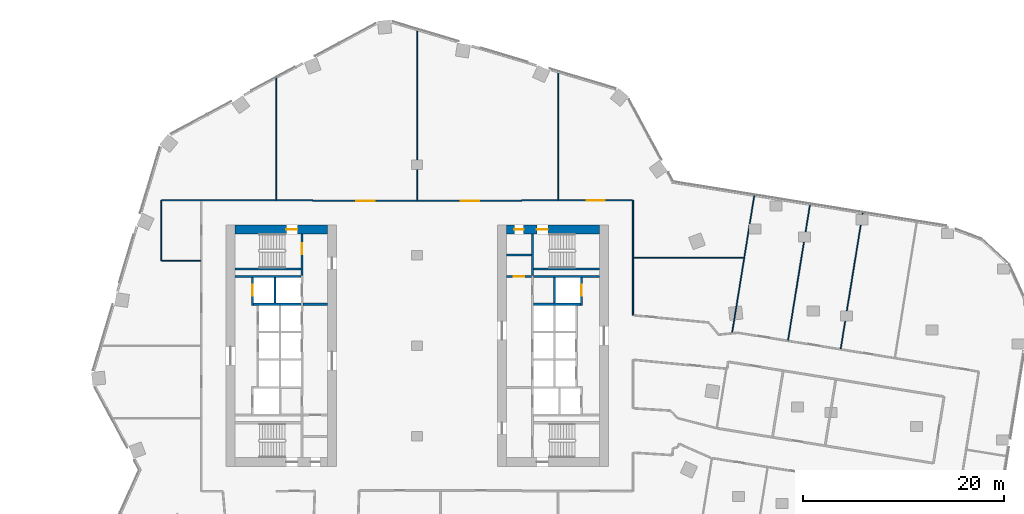
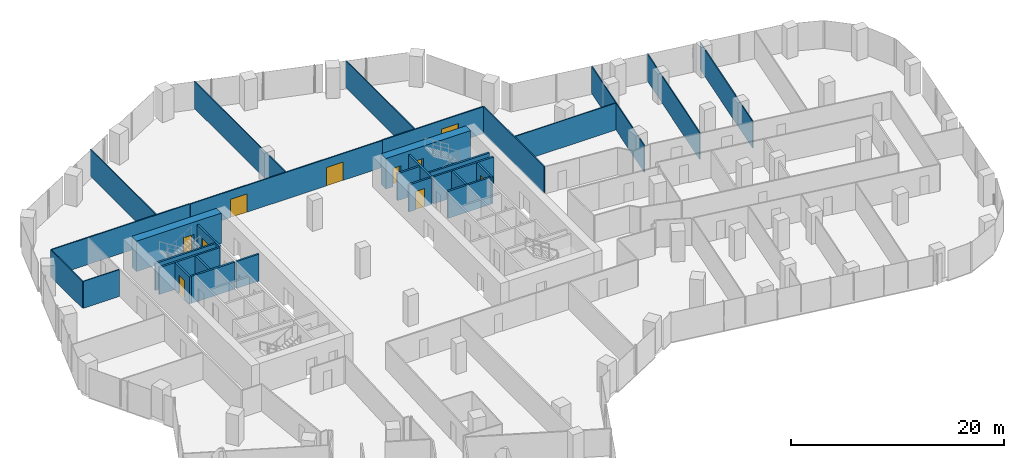
# One storey, part 29 of 34: 30 walls, 10 doors, 10 openings.
"""IFC4 building model written with IfcOpenShell, lengths in metres."""

from ifc_helpers import new_model, si_unit, direction, frame, frame_2d, origin, place, context, subcontext, project, spatial, rectangle, extrude, material, layer, layer_set, type_object, element, fill, save


model = new_model("IFC4")

# Units and contexts
model_context = context("Model", 3, precision=1e-05, world=origin(), true_north=direction((0.0, 1.0)))
body_context = subcontext(model_context, "Body", "Model", "MODEL_VIEW")
ifc_project = project(units=[si_unit("LENGTHUNIT", "METRE"), si_unit("AREAUNIT", "SQUARE_METRE"), si_unit("VOLUMEUNIT", "CUBIC_METRE"), si_unit("PLANEANGLEUNIT", "RADIAN"), si_unit("MASSUNIT", "GRAM", prefix="KILO")], contexts=[model_context])

# Site, building, storey
site_placement = place(None, origin())
site = spatial("IfcSite", under=ifc_project, at=site_placement, CompositionType="ELEMENT")
building_placement = place(site_placement, origin())
building = spatial("IfcBuilding", under=site, at=building_placement, Name="Orlundy Tower", CompositionType="ELEMENT")
storey_placement = place(building_placement, frame((0.0, 0.0, 127.199951171875)))
storey = spatial("IfcBuildingStorey", under=building, at=storey_placement, Name="L32", CompositionType="ELEMENT", Elevation=127.199951171875)

# Wall, opening, door
ifc_material_1 = material(Name="Concrete C80/95", Category="concrete")
ifc_layer_1 = layer(ifc_material_1, 0.89990234375)
ifc_layer_set_1 = layer_set([ifc_layer_1], Name="CORE WALL 900 C80/95")
wall_type_1 = type_object("IfcWallType", Name="CORE WALL 900 C80/95", PredefinedType="SHEAR", material=ifc_layer_set_1)
wall_1_placement = place(storey_placement, frame((-18.10009765625, 11.550048828125, 0.0), z_axis=(0.0, 0.0, 1.0), x_axis=(1.0, 0.0, 0.0)))
wall_1 = element("IfcWall", 1, at=wall_1_placement, inside=storey, type_object=wall_type_1, Name="Core wall W-N L32", PredefinedType="SHEAR", context=body_context, shape_type="SweptSolid", body=[
    extrude(rectangle(XDim=9.2001953125, YDim=0.89990234375, at=frame_2d((4.60009765625, 0.0))), origin(), (0.0, 0.0, 1.0), 3.5),
])
opening_1_placement = place(wall_1_placement, frame((5.10009765625, 0.0, 0.0)))
opening_1 = element("IfcOpeningElement", 2, at=opening_1_placement, cuts=wall_1, Name="Opening 25012", PredefinedType="OPENING", context=body_context, shape_type="SweptSolid", body=[
    extrude(rectangle(XDim=1.10009765625, YDim=2.10009765625, at=frame_2d((0.550048828125, 1.050048828125))), frame((0.0, 0.4599609375, 0.0), z_axis=(0.0, -1.0, 0.0), x_axis=(1.0, 0.0, 0.0)), (0.0, 0.0, 1.0), 0.919921875),
])
ifc_material_2 = material(Name="Steel door set", Category="steel")
door_type_1 = type_object("IfcDoorType", Name="Stair Door 1100x2100", OperationType="SINGLE_SWING_LEFT", PredefinedType="DOOR", material=ifc_material_2)
door_1_placement = place(opening_1_placement, origin())
door_1 = element("IfcDoor", 3, at=door_1_placement, inside=storey, type_object=door_type_1, Name="Stair door 25012", OperationType="SINGLE_SWING_RIGHT", OverallHeight=2.10009765625, OverallWidth=1.10009765625, PredefinedType="DOOR", context=body_context, shape_type="SweptSolid", body=[
    extrude(rectangle(XDim=1.10009765625, YDim=2.10009765625, at=frame_2d((0.550048828125, 1.050048828125))), frame((0.0, 0.02490234375, 0.0), z_axis=(0.0, -1.0, 0.0), x_axis=(1.0, 0.0, 0.0)), (0.0, 0.0, 1.0), 0.050048828125),
])
fill(opening_1, door_1)

# Wall, openings, doors
wall_2_placement = place(storey_placement, frame((8.89990234375, 11.550048828125, 0.0), z_axis=(0.0, 0.0, 1.0), x_axis=(1.0, 0.0, 0.0)))
wall_2 = element("IfcWall", 4, at=wall_2_placement, inside=storey, type_object=wall_type_1, Name="Core wall E-N L32", PredefinedType="SHEAR", context=body_context, shape_type="SweptSolid", body=[
    extrude(rectangle(XDim=9.2001953125, YDim=0.89990234375, at=frame_2d((4.60009765625, 0.0))), origin(), (0.0, 0.0, 1.0), 3.5),
])
opening_2_placement = place(wall_2_placement, frame((3.0, 0.0, 0.0)))
opening_2 = element("IfcOpeningElement", 5, at=opening_2_placement, cuts=wall_2, Name="Opening 25062", PredefinedType="OPENING", context=body_context, shape_type="SweptSolid", body=[
    extrude(rectangle(XDim=1.10009765625, YDim=2.10009765625, at=frame_2d((0.550048828125, 1.050048828125))), frame((0.0, 0.4599609375, 0.0), z_axis=(0.0, -1.0, 0.0), x_axis=(1.0, 0.0, 0.0)), (0.0, 0.0, 1.0), 0.919921875),
])
opening_3_placement = place(wall_2_placement, frame((0.77001953125, 0.0, 0.0)))
opening_3 = element("IfcOpeningElement", 6, at=opening_3_placement, cuts=wall_2, Name="Opening 25064", PredefinedType="OPENING", context=body_context, shape_type="SweptSolid", body=[
    extrude(rectangle(XDim=0.89990234375, YDim=2.10009765625, at=frame_2d((0.449951171875, 1.050048828125))), frame((0.0, 0.4599609375, 0.0), z_axis=(0.0, -1.0, 0.0), x_axis=(1.0, 0.0, 0.0)), (0.0, 0.0, 1.0), 0.919921875),
])
ifc_material_3 = material(Name="Timber door set", Category="wood")
door_type_2 = type_object("IfcDoorType", Name="Room Door 900x2100", OperationType="SINGLE_SWING_LEFT", PredefinedType="DOOR", material=ifc_material_3)
door_2_placement = place(opening_3_placement, origin())
door_2 = element("IfcDoor", 7, at=door_2_placement, inside=storey, type_object=door_type_2, Name="Store door 25064", OperationType="SINGLE_SWING_LEFT", OverallHeight=2.10009765625, OverallWidth=0.89990234375, PredefinedType="DOOR", context=body_context, shape_type="SweptSolid", body=[
    extrude(rectangle(XDim=0.89990234375, YDim=2.10009765625, at=frame_2d((0.449951171875, 1.050048828125))), frame((0.0, 0.02490234375, 0.0), z_axis=(0.0, -1.0, 0.0), x_axis=(1.0, 0.0, 0.0)), (0.0, 0.0, 1.0), 0.050048828125),
])
fill(opening_3, door_2)
door_3_placement = place(opening_2_placement, origin())
door_3 = element("IfcDoor", 8, at=door_3_placement, inside=storey, type_object=door_type_1, Name="Stair door 25062", OperationType="SINGLE_SWING_LEFT", OverallHeight=2.10009765625, OverallWidth=1.10009765625, PredefinedType="DOOR", context=body_context, shape_type="SweptSolid", body=[
    extrude(rectangle(XDim=1.10009765625, YDim=2.10009765625, at=frame_2d((0.550048828125, 1.050048828125))), frame((0.0, 0.02490234375, 0.0), z_axis=(0.0, -1.0, 0.0), x_axis=(1.0, 0.0, 0.0)), (0.0, 0.0, 1.0), 0.050048828125),
])
fill(opening_2, door_3)

# Walls
ifc_material_4 = material(Name="Gypsum board partition")
ifc_layer_2 = layer(ifc_material_4, 0.10009765625)
ifc_layer_set_2 = layer_set([ifc_layer_2], Name="Floor partition 100")
wall_type_2 = type_object("IfcWallType", Name="Floor partition 100", PredefinedType="PARTITIONING", material=ifc_layer_set_2)
wall_3_placement = place(storey_placement, frame((-25.39794921875, 8.448974609375, 0.0), z_axis=(0.0, 0.0, 1.0), x_axis=(1.0, 0.0, 0.0)))
element("IfcWall", 9, at=wall_3_placement, inside=storey, type_object=wall_type_2, Name="wall-int-L32-040", PredefinedType="PARTITIONING", context=body_context, shape_type="SweptSolid", body=[
    extrude(rectangle(XDim=3.885986328125, YDim=0.10009765625, at=frame_2d((1.94287109375, 0.0))), origin(), (0.0, 0.0, 1.0), 3.080078125),
])
wall_4_placement = place(storey_placement, frame((21.511962890625, 8.739990234375, 0.0), z_axis=(0.0, 0.0, 1.0), x_axis=(1.0, 0.0, 0.0)))
element("IfcWall", 10, at=wall_4_placement, inside=storey, type_object=wall_type_2, Name="wall-int-L32-041", PredefinedType="PARTITIONING", context=body_context, shape_type="SweptSolid", body=[
    extrude(rectangle(XDim=10.93896484375, YDim=0.10009765625, at=frame_2d((5.469482421875, 0.0))), origin(), (0.0, 0.0, 1.0), 3.080078125),
])
for number, where, z_axis, x_axis, name in (
    (11, (42.090087890625, -0.294921875, 0.0), (0.0, 0.0, 1.0), (0.159357818258, 0.987220890055, 0.0), "wall-int-L32-062"),
    (12, (36.85791015625, 0.549072265625, 0.0), (0.0, 0.0, 1.0), (0.159375015721, 0.987218113876, 0.0), "wall-int-L32-065"),
):
    element("IfcWall", number, at=place(storey_placement, frame(where, z_axis=z_axis, x_axis=x_axis)), inside=storey, type_object=wall_type_2, Name=name, PredefinedType="PARTITIONING", context=body_context, shape_type="SweptSolid", body=[
        extrude(rectangle(XDim=13.835693359375, YDim=0.10009765625, at=frame_2d((6.91796875, 0.0))), origin(), (0.0, 0.0, 1.0), 3.080078125),
    ])
wall_5_placement = place(storey_placement, frame((31.302001953125, 1.31396484375, 0.0), z_axis=(0.0, 0.0, 1.0), x_axis=(0.159328073175, 0.987225691065, 0.0)))
element("IfcWall", 13, at=wall_5_placement, inside=storey, type_object=wall_type_2, Name="wall-int-L32-068", PredefinedType="PARTITIONING", context=body_context, shape_type="SweptSolid", body=[
    extrude(rectangle(XDim=13.965576171875, YDim=0.10009765625, at=frame_2d((6.98291015625, 0.0))), origin(), (0.0, 0.0, 1.0), 3.080078125),
])
wall_6_placement = place(storey_placement, frame((14.0, 14.513916015625, 0.0), z_axis=(0.0, 0.0, 1.0), x_axis=(0.0, 1.0, 0.0)))
element("IfcWall", 14, at=wall_6_placement, inside=storey, type_object=wall_type_2, Name="wall-int-L32-081", PredefinedType="PARTITIONING", context=body_context, shape_type="SweptSolid", body=[
    extrude(rectangle(XDim=12.87109375, YDim=0.10009765625, at=frame_2d((6.435546875, 0.0))), origin(), (0.0, 0.0, 1.0), 3.080078125),
])
wall_7_placement = place(storey_placement, frame((0.0, 14.462890625, 0.0), z_axis=(0.0, 0.0, 1.0), x_axis=(0.0, 1.0, 0.0)))
element("IfcWall", 15, at=wall_7_placement, inside=storey, type_object=wall_type_2, Name="wall-int-L32-083", PredefinedType="PARTITIONING", context=body_context, shape_type="SweptSolid", body=[
    extrude(rectangle(XDim=17.114013671875, YDim=0.10009765625, at=frame_2d((8.55712890625, 0.0))), origin(), (0.0, 0.0, 1.0), 3.080078125),
])
wall_8_placement = place(storey_placement, frame((-14.0, 14.513916015625, 0.0), z_axis=(0.0, 0.0, 1.0), x_axis=(0.0, 1.0, 0.0)))
element("IfcWall", 16, at=wall_8_placement, inside=storey, type_object=wall_type_2, Name="wall-int-L32-084", PredefinedType="PARTITIONING", context=body_context, shape_type="SweptSolid", body=[
    extrude(rectangle(XDim=12.30419921875, YDim=0.10009765625, at=frame_2d((6.152099609375, 0.0))), origin(), (0.0, 0.0, 1.0), 3.080078125),
])
wall_9_placement = place(storey_placement, frame((-25.447998046875, 8.448974609375, 0.0), z_axis=(0.0, 0.0, 1.0), x_axis=(0.0, 1.0, 0.0)))
element("IfcWall", 17, at=wall_9_placement, inside=storey, type_object=wall_type_2, Name="wall-int-L32-086", PredefinedType="PARTITIONING", context=body_context, shape_type="SweptSolid", body=[
    extrude(rectangle(XDim=6.0009765625, YDim=0.10009765625, at=frame_2d((3.00048828125, 0.0))), origin(), (0.0, 0.0, 1.0), 3.080078125),
])

# Wall, openings, doors
ifc_material_5 = material(Name="Gypsum board partition, double layer")
ifc_layer_3 = layer(ifc_material_5, 0.125)
ifc_layer_set_3 = layer_set([ifc_layer_3], Name="Floor partition 125")
wall_type_3 = type_object("IfcWallType", Name="Floor partition 125", PredefinedType="PARTITIONING", material=ifc_layer_set_3)
wall_10_placement = place(storey_placement, frame((-10.389892578125, 14.40087890625, 0.0), z_axis=(0.0, 0.0, 1.0), x_axis=(1.0, 0.0, 0.0)))
wall_10 = element("IfcWall", 18, at=wall_10_placement, inside=storey, type_object=wall_type_3, Name="wall-int-L32-042", PredefinedType="PARTITIONING", context=body_context, shape_type="SweptSolid", body=[
    extrude(rectangle(XDim=20.781005859375, YDim=0.125, at=frame_2d((10.390625, 0.0))), origin(), (0.0, 0.0, 1.0), 3.080078125),
])
opening_4_placement = place(wall_10_placement, frame((14.739990234375, 0.0, 0.0)))
opening_4 = element("IfcOpeningElement", 19, at=opening_4_placement, cuts=wall_10, Name="Opening 25129", PredefinedType="OPENING", context=body_context, shape_type="SweptSolid", body=[
    extrude(rectangle(XDim=1.800048828125, YDim=2.10009765625, at=frame_2d((0.89990234375, 1.050048828125))), frame((0.0, 0.072509765625, 0.0), z_axis=(0.0, -1.0, 0.0), x_axis=(1.0, 0.0, 0.0)), (0.0, 0.0, 1.0), 0.14501953125),
])
opening_5_placement = place(wall_10_placement, frame((4.35009765625, 0.0, 0.0)))
opening_5 = element("IfcOpeningElement", 20, at=opening_5_placement, cuts=wall_10, Name="Opening 25130", PredefinedType="OPENING", context=body_context, shape_type="SweptSolid", body=[
    extrude(rectangle(XDim=1.800048828125, YDim=2.10009765625, at=frame_2d((0.89990234375, 1.050048828125))), frame((0.0, 0.072509765625, 0.0), z_axis=(0.0, -1.0, 0.0), x_axis=(1.0, 0.0, 0.0)), (0.0, 0.0, 1.0), 0.14501953125),
])
ifc_material_6 = material(Name="Timber door leaf", Category="wood")
door_type_3 = type_object("IfcDoorType", Name="Floor door double 1800 FD30S", OperationType="NOTDEFINED", PredefinedType="DOOR", material=ifc_material_6)
door_4_placement = place(opening_4_placement, origin())
door_4 = element("IfcDoor", 21, at=door_4_placement, inside=storey, type_object=door_type_3, Name="Door 25129", OperationType="DOUBLE_DOOR_SINGLE_SWING", OverallHeight=2.10009765625, OverallWidth=1.800048828125, PredefinedType="DOOR", context=body_context, shape_type="SweptSolid", body=[
    extrude(rectangle(XDim=1.800048828125, YDim=2.10009765625, at=frame_2d((0.89990234375, 1.050048828125))), frame((0.0, 0.02490234375, 0.0), z_axis=(0.0, -1.0, 0.0), x_axis=(1.0, 0.0, 0.0)), (0.0, 0.0, 1.0), 0.050048828125),
])
fill(opening_4, door_4)
door_5_placement = place(opening_5_placement, origin())
door_5 = element("IfcDoor", 22, at=door_5_placement, inside=storey, type_object=door_type_3, Name="Door 25130", OperationType="DOUBLE_DOOR_SINGLE_SWING", OverallHeight=2.10009765625, OverallWidth=1.800048828125, PredefinedType="DOOR", context=body_context, shape_type="SweptSolid", body=[
    extrude(rectangle(XDim=1.800048828125, YDim=2.10009765625, at=frame_2d((0.89990234375, 1.050048828125))), frame((0.0, 0.02490234375, 0.0), z_axis=(0.0, -1.0, 0.0), x_axis=(1.0, 0.0, 0.0)), (0.0, 0.0, 1.0), 0.050048828125),
])
fill(opening_5, door_5)

# Wall
wall_11_placement = place(storey_placement, frame((-25.39794921875, 14.449951171875, 0.0), z_axis=(0.0, 0.0, 1.0), x_axis=(1.0, 0.0, 0.0)))
element("IfcWall", 23, at=wall_11_placement, inside=storey, type_object=wall_type_3, Name="wall-int-L32-043", PredefinedType="PARTITIONING", context=body_context, shape_type="SweptSolid", body=[
    extrude(rectangle(XDim=15.0068359375, YDim=0.125, at=frame_2d((7.50341796875, 0.0))), origin(), (0.0, 0.0, 1.0), 3.080078125),
])

# Wall, opening, door
wall_12_placement = place(storey_placement, frame((10.39111328125, 14.450927734375, 0.0), z_axis=(0.0, 0.0, 1.0), x_axis=(1.0, 0.0, 0.0)))
wall_12 = element("IfcWall", 24, at=wall_12_placement, inside=storey, type_object=wall_type_3, Name="wall-int-L32-044", PredefinedType="PARTITIONING", context=body_context, shape_type="SweptSolid", body=[
    extrude(rectangle(XDim=10.995849609375, YDim=0.125, at=frame_2d((5.498046875, 0.0))), origin(), (0.0, 0.0, 1.0), 3.080078125),
])
opening_6_placement = place(wall_12_placement, frame((6.458984375, 0.0, 0.0)))
opening_6 = element("IfcOpeningElement", 25, at=opening_6_placement, cuts=wall_12, Name="Opening 25128", PredefinedType="OPENING", context=body_context, shape_type="SweptSolid", body=[
    extrude(rectangle(XDim=1.800048828125, YDim=2.10009765625, at=frame_2d((0.89990234375, 1.050048828125))), frame((0.0, 0.072509765625, 0.0), z_axis=(0.0, -1.0, 0.0), x_axis=(1.0, 0.0, 0.0)), (0.0, 0.0, 1.0), 0.14501953125),
])
door_6_placement = place(opening_6_placement, origin())
door_6 = element("IfcDoor", 26, at=door_6_placement, inside=storey, type_object=door_type_3, Name="Door 25128", OperationType="DOUBLE_DOOR_SINGLE_SWING", OverallHeight=2.10009765625, OverallWidth=1.800048828125, PredefinedType="DOOR", context=body_context, shape_type="SweptSolid", body=[
    extrude(rectangle(XDim=1.800048828125, YDim=2.10009765625, at=frame_2d((0.89990234375, 1.050048828125))), frame((0.0, 0.02490234375, 0.0), z_axis=(0.0, -1.0, 0.0), x_axis=(1.0, 0.0, 0.0)), (0.0, 0.0, 1.0), 0.050048828125),
])
fill(opening_6, door_6)

# Wall
wall_13_placement = place(storey_placement, frame((21.449951171875, 3.031005859375, 0.0), z_axis=(0.0, 0.0, 1.0), x_axis=(0.0, 1.0, 0.0)))
element("IfcWall", 27, at=wall_13_placement, inside=storey, type_object=wall_type_3, Name="wall-int-L32-079", PredefinedType="PARTITIONING", context=body_context, shape_type="SweptSolid", body=[
    extrude(rectangle(XDim=11.419921875, YDim=0.125, at=frame_2d((5.7099609375, 0.0))), origin(), (0.0, 0.0, 1.0), 3.080078125),
])

# Wall, opening, door
ifc_material_7 = material(Name="Concrete C40/50", Category="concrete")
ifc_layer_4 = layer(ifc_material_7, 0.199951171875)
ifc_layer_set_4 = layer_set([ifc_layer_4], Name="Load-bearing Shaft Wall 200")
wall_type_4 = type_object("IfcWallType", Name="Load-bearing Shaft Wall 200", PredefinedType="SOLIDWALL", material=ifc_layer_set_4)
wall_14_placement = place(storey_placement, frame((-11.43994140625, 6.97509765625, 0.0), z_axis=(0.0, 0.0, 1.0), x_axis=(0.0, 1.0, 0.0)))
wall_14 = element("IfcWall", 28, at=wall_14_placement, inside=storey, type_object=wall_type_4, Name="Shaft wall W25-stair-end-n", PredefinedType="SOLIDWALL", context=body_context, shape_type="SweptSolid", body=[
    extrude(rectangle(XDim=4.125, YDim=0.199951171875, at=frame_2d((2.0625, 0.0))), origin(), (0.0, 0.0, 1.0), 3.090087890625),
])
opening_7_placement = place(wall_14_placement, frame((2.10009765625, 0.0, 0.0)))
opening_7 = element("IfcOpeningElement", 29, at=opening_7_placement, cuts=wall_14, Name="Opening 25014", PredefinedType="OPENING", context=body_context, shape_type="SweptSolid", body=[
    extrude(rectangle(XDim=1.10009765625, YDim=2.10009765625, at=frame_2d((0.550048828125, 1.050048828125))), frame((0.0, 0.110107421875, 0.0), z_axis=(0.0, -1.0, 0.0), x_axis=(1.0, 0.0, 0.0)), (0.0, 0.0, 1.0), 0.22021484375),
])
ifc_material_8 = material(Name="Steel door set", Category="steel")
door_type_4 = type_object("IfcDoorType", Name="Fire-fighting Lobby Door 1100x2100", OperationType="SINGLE_SWING_LEFT", PredefinedType="DOOR", material=ifc_material_8)
door_7_placement = place(opening_7_placement, origin())
door_7 = element("IfcDoor", 30, at=door_7_placement, inside=storey, type_object=door_type_4, Name="Fire-fighting lobby to stair door 25014", OperationType="SINGLE_SWING_RIGHT", OverallHeight=2.10009765625, OverallWidth=1.10009765625, PredefinedType="DOOR", context=body_context, shape_type="SweptSolid", body=[
    extrude(rectangle(XDim=1.10009765625, YDim=2.10009765625, at=frame_2d((0.550048828125, 1.050048828125))), frame((0.0, 0.02490234375, 0.0), z_axis=(0.0, -1.0, 0.0), x_axis=(1.0, 0.0, 0.0)), (0.0, 0.0, 1.0), 0.050048828125),
])
fill(opening_7, door_7)

# Walls
wall_15_placement = place(storey_placement, frame((-11.5400390625, 7.64990234375, 0.0), z_axis=(0.0, 0.0, 1.0), x_axis=(-1.0, 0.0, 0.0)))
element("IfcWall", 31, at=wall_15_placement, inside=storey, type_object=wall_type_4, Name="Shaft wall W25-stair-side-n", PredefinedType="SOLIDWALL", context=body_context, shape_type="SweptSolid", body=[
    extrude(rectangle(XDim=6.56005859375, YDim=0.199951171875, at=frame_2d((3.280029296875, 0.0))), origin(), (0.0, 0.0, 1.0), 3.090087890625),
])
wall_16_placement = place(storey_placement, frame((11.43994140625, 11.10009765625, 0.0), z_axis=(0.0, 0.0, 1.0), x_axis=(0.0, -1.0, 0.0)))
element("IfcWall", 32, at=wall_16_placement, inside=storey, type_object=wall_type_4, Name="Shaft wall E25-stair-end-s", PredefinedType="SOLIDWALL", context=body_context, shape_type="SweptSolid", body=[
    extrude(rectangle(XDim=4.125, YDim=0.199951171875, at=frame_2d((2.0625, 0.0))), origin(), (0.0, 0.0, 1.0), 3.090087890625),
])
wall_17_placement = place(storey_placement, frame((11.5400390625, 7.64990234375, 0.0), z_axis=(0.0, 0.0, 1.0), x_axis=(1.0, 0.0, 0.0)))
element("IfcWall", 33, at=wall_17_placement, inside=storey, type_object=wall_type_4, Name="Shaft wall E25-stair-side-s", PredefinedType="SOLIDWALL", context=body_context, shape_type="SweptSolid", body=[
    extrude(rectangle(XDim=6.56005859375, YDim=0.199951171875, at=frame_2d((3.280029296875, 0.0))), origin(), (0.0, 0.0, 1.0), 3.090087890625),
])
ifc_material_9 = material(Name="Gypsum board partition on steel studs", Category="steel")
ifc_layer_5 = layer(ifc_material_9, 0.199951171875)
ifc_layer_set_5 = layer_set([ifc_layer_5], Name="Partition 200")
wall_type_5 = type_object("IfcWallType", Name="Partition 200", PredefinedType="PARTITIONING", material=ifc_layer_set_5)
wall_18_placement = place(storey_placement, frame((-8.89990234375, 4.125, 0.0), z_axis=(0.0, 0.0, 1.0), x_axis=(-1.0, 0.0, 0.0)))
element("IfcWall", 34, at=wall_18_placement, inside=storey, type_object=wall_type_5, Name="Partition wall W25-lobby-n", PredefinedType="PARTITIONING", context=body_context, shape_type="SweptSolid", body=[
    extrude(rectangle(XDim=2.440185546875, YDim=0.199951171875, at=frame_2d((1.22021484375, 0.0))), origin(), (0.0, 0.0, 1.0), 3.090087890625),
])

# Wall, opening, door
wall_19_placement = place(storey_placement, frame((8.89990234375, 6.875, 0.0), z_axis=(0.0, 0.0, 1.0), x_axis=(1.0, 0.0, 0.0)))
wall_19 = element("IfcWall", 35, at=wall_19_placement, inside=storey, type_object=wall_type_5, Name="Partition wall E25-end-s", PredefinedType="PARTITIONING", context=body_context, shape_type="SweptSolid", body=[
    extrude(rectangle(XDim=2.440185546875, YDim=0.199951171875, at=frame_2d((1.22021484375, 0.0))), origin(), (0.0, 0.0, 1.0), 3.090087890625),
])
opening_8_placement = place(wall_19_placement, frame((0.719970703125, 0.0, 0.0)))
opening_8 = element("IfcOpeningElement", 36, at=opening_8_placement, cuts=wall_19, Name="Opening 25065", PredefinedType="OPENING", context=body_context, shape_type="SweptSolid", body=[
    extrude(rectangle(XDim=1.0, YDim=2.10009765625, at=frame_2d((0.5, 1.050048828125))), frame((0.0, 0.110107421875, 0.0), z_axis=(0.0, -1.0, 0.0), x_axis=(1.0, 0.0, 0.0)), (0.0, 0.0, 1.0), 0.22021484375),
])
ifc_material_10 = material(Name="Timber door set", Category="wood")
door_type_5 = type_object("IfcDoorType", Name="Accessible Door 1000x2100", OperationType="SINGLE_SWING_LEFT", PredefinedType="DOOR", material=ifc_material_10)
door_8_placement = place(opening_8_placement, origin())
door_8 = element("IfcDoor", 37, at=door_8_placement, inside=storey, type_object=door_type_5, Name="Accessible WC door 25065", OperationType="SINGLE_SWING_RIGHT", OverallHeight=2.10009765625, OverallWidth=1.0, PredefinedType="DOOR", context=body_context, shape_type="SweptSolid", body=[
    extrude(rectangle(XDim=1.0, YDim=2.10009765625, at=frame_2d((0.5, 1.050048828125))), frame((0.0, 0.02490234375, 0.0), z_axis=(0.0, -1.0, 0.0), x_axis=(1.0, 0.0, 0.0)), (0.0, 0.0, 1.0), 0.050048828125),
])
fill(opening_8, door_8)

# Walls
wall_20_placement = place(storey_placement, frame((8.89990234375, 9.0, 0.0), z_axis=(0.0, 0.0, 1.0), x_axis=(1.0, 0.0, 0.0)))
element("IfcWall", 38, at=wall_20_placement, inside=storey, type_object=wall_type_5, Name="Partition wall E25-room-s0", PredefinedType="PARTITIONING", context=body_context, shape_type="SweptSolid", body=[
    extrude(rectangle(XDim=2.440185546875, YDim=0.199951171875, at=frame_2d((1.22021484375, 0.0))), origin(), (0.0, 0.0, 1.0), 3.090087890625),
])
ifc_material_11 = material(Name="Fire-rated blockwork shaft wall", Category="masonry")
ifc_layer_6 = layer(ifc_material_11, 0.199951171875)
ifc_layer_set_6 = layer_set([ifc_layer_6], Name="Shaft Wall 200")
wall_type_6 = type_object("IfcWallType", Name="Shaft Wall 200", PredefinedType="SOLIDWALL", material=ifc_layer_set_6)
wall_21_placement = place(storey_placement, frame((-11.5400390625, 6.875, 0.0), z_axis=(0.0, 0.0, 1.0), x_axis=(-1.0, 0.0, 0.0)))
element("IfcWall", 39, at=wall_21_placement, inside=storey, type_object=wall_type_6, Name="Shaft wall W25-zone-n", PredefinedType="SOLIDWALL", context=body_context, shape_type="SweptSolid", body=[
    extrude(rectangle(XDim=6.56005859375, YDim=0.199951171875, at=frame_2d((3.280029296875, 0.0))), origin(), (0.0, 0.0, 1.0), 3.090087890625),
])
wall_22_placement = place(storey_placement, frame((-11.5400390625, 4.125, 0.0), z_axis=(0.0, 0.0, 1.0), x_axis=(-1.0, 0.0, 0.0)))
element("IfcWall", 40, at=wall_22_placement, inside=storey, type_object=wall_type_6, Name="Shaft wall W25-cross+4.125", PredefinedType="SOLIDWALL", context=body_context, shape_type="SweptSolid", body=[
    extrude(rectangle(XDim=4.699951171875, YDim=0.199951171875, at=frame_2d((2.35009765625, 0.0))), origin(), (0.0, 0.0, 1.0), 3.090087890625),
])
wall_23_placement = place(storey_placement, frame((-14.139892578125, 4.22509765625, 0.0), z_axis=(0.0, 0.0, 1.0), x_axis=(0.0, 1.0, 0.0)))
element("IfcWall", 41, at=wall_23_placement, inside=storey, type_object=wall_type_6, Name="Shaft wall W25-mid-b", PredefinedType="SOLIDWALL", context=body_context, shape_type="SweptSolid", body=[
    extrude(rectangle(XDim=2.5498046875, YDim=0.199951171875, at=frame_2d((1.27490234375, 0.0))), origin(), (0.0, 0.0, 1.0), 3.090087890625),
])

# Wall, opening, door
wall_24_placement = place(storey_placement, frame((-16.340087890625, 4.02490234375, 0.0), z_axis=(0.0, 0.0, 1.0), x_axis=(0.0, 1.0, 0.0)))
wall_24 = element("IfcWall", 42, at=wall_24_placement, inside=storey, type_object=wall_type_6, Name="Shaft wall W25-front-o-c", PredefinedType="SOLIDWALL", context=body_context, shape_type="SweptSolid", body=[
    extrude(rectangle(XDim=2.75, YDim=0.199951171875, at=frame_2d((1.375, 0.0))), origin(), (0.0, 0.0, 1.0), 3.090087890625),
])
opening_9_placement = place(wall_24_placement, frame((0.925048828125, 0.0, 0.0)))
opening_9 = element("IfcOpeningElement", 43, at=opening_9_placement, cuts=wall_24, Name="Opening 25007", PredefinedType="OPENING", context=body_context, shape_type="SweptSolid", body=[
    extrude(rectangle(XDim=1.10009765625, YDim=2.10009765625, at=frame_2d((0.550048828125, 1.050048828125))), frame((0.0, 0.110107421875, 0.0), z_axis=(0.0, -1.0, 0.0), x_axis=(1.0, 0.0, 0.0)), (0.0, 0.0, 1.0), 0.22021484375),
])
ifc_material_12 = material(Name="Steel door set", Category="steel")
door_type_6 = type_object("IfcDoorType", Name="Landing Door 1100x2100", OperationType="DOUBLE_DOOR_SLIDING", PredefinedType="DOOR", material=ifc_material_12)
door_9_placement = place(opening_9_placement, origin())
door_9 = element("IfcDoor", 44, at=door_9_placement, inside=storey, type_object=door_type_6, Name="Lift landing door LP-04 25007", OperationType="DOUBLE_DOOR_SLIDING", OverallHeight=2.10009765625, OverallWidth=1.10009765625, PredefinedType="DOOR", context=body_context, shape_type="SweptSolid", body=[
    extrude(rectangle(XDim=1.10009765625, YDim=2.10009765625, at=frame_2d((0.550048828125, 1.050048828125))), frame((0.0, 0.02490234375, 0.0), z_axis=(0.0, -1.0, 0.0), x_axis=(1.0, 0.0, 0.0)), (0.0, 0.0, 1.0), 0.050048828125),
])
fill(opening_9, door_9)

# Walls
wall_25_placement = place(storey_placement, frame((11.5400390625, 6.875, 0.0), z_axis=(0.0, 0.0, 1.0), x_axis=(1.0, 0.0, 0.0)))
element("IfcWall", 45, at=wall_25_placement, inside=storey, type_object=wall_type_6, Name="Shaft wall E25-zone-s", PredefinedType="SOLIDWALL", context=body_context, shape_type="SweptSolid", body=[
    extrude(rectangle(XDim=6.56005859375, YDim=0.199951171875, at=frame_2d((3.280029296875, 0.0))), origin(), (0.0, 0.0, 1.0), 3.090087890625),
])
wall_26_placement = place(storey_placement, frame((11.5400390625, 4.125, 0.0), z_axis=(0.0, 0.0, 1.0), x_axis=(1.0, 0.0, 0.0)))
element("IfcWall", 46, at=wall_26_placement, inside=storey, type_object=wall_type_6, Name="Shaft wall E25-cross-4.125", PredefinedType="SOLIDWALL", context=body_context, shape_type="SweptSolid", body=[
    extrude(rectangle(XDim=4.699951171875, YDim=0.199951171875, at=frame_2d((2.35009765625, 0.0))), origin(), (0.0, 0.0, 1.0), 3.090087890625),
])
wall_27_placement = place(storey_placement, frame((13.639892578125, 6.77490234375, 0.0), z_axis=(0.0, 0.0, 1.0), x_axis=(0.0, -1.0, 0.0)))
element("IfcWall", 47, at=wall_27_placement, inside=storey, type_object=wall_type_6, Name="Shaft wall E25-mid-a", PredefinedType="SOLIDWALL", context=body_context, shape_type="SweptSolid", body=[
    extrude(rectangle(XDim=2.5498046875, YDim=0.199951171875, at=frame_2d((1.27490234375, 0.0))), origin(), (0.0, 0.0, 1.0), 3.090087890625),
])

# Wall, opening, door
wall_28_placement = place(storey_placement, frame((16.340087890625, 6.77490234375, 0.0), z_axis=(0.0, 0.0, 1.0), x_axis=(0.0, -1.0, 0.0)))
wall_28 = element("IfcWall", 48, at=wall_28_placement, inside=storey, type_object=wall_type_6, Name="Shaft wall E25-front-o-a", PredefinedType="SOLIDWALL", context=body_context, shape_type="SweptSolid", body=[
    extrude(rectangle(XDim=2.75, YDim=0.199951171875, at=frame_2d((1.375, 0.0))), origin(), (0.0, 0.0, 1.0), 3.090087890625),
])
opening_10_placement = place(wall_28_placement, frame((0.72509765625, 0.0, 0.0)))
opening_10 = element("IfcOpeningElement", 49, at=opening_10_placement, cuts=wall_28, Name="Opening 25050", PredefinedType="OPENING", context=body_context, shape_type="SweptSolid", body=[
    extrude(rectangle(XDim=1.10009765625, YDim=2.10009765625, at=frame_2d((0.550048828125, 1.050048828125))), frame((0.0, 0.110107421875, 0.0), z_axis=(0.0, -1.0, 0.0), x_axis=(1.0, 0.0, 0.0)), (0.0, 0.0, 1.0), 0.22021484375),
])
door_10_placement = place(opening_10_placement, origin())
door_10 = element("IfcDoor", 50, at=door_10_placement, inside=storey, type_object=door_type_6, Name="Lift landing door LV-02 25050", OperationType="DOUBLE_DOOR_SLIDING", OverallHeight=2.10009765625, OverallWidth=1.10009765625, PredefinedType="DOOR", context=body_context, shape_type="SweptSolid", body=[
    extrude(rectangle(XDim=1.10009765625, YDim=2.10009765625, at=frame_2d((0.550048828125, 1.050048828125))), frame((0.0, 0.02490234375, 0.0), z_axis=(0.0, -1.0, 0.0), x_axis=(1.0, 0.0, 0.0)), (0.0, 0.0, 1.0), 0.050048828125),
])
fill(opening_10, door_10)

save(model, "model.ifc")
